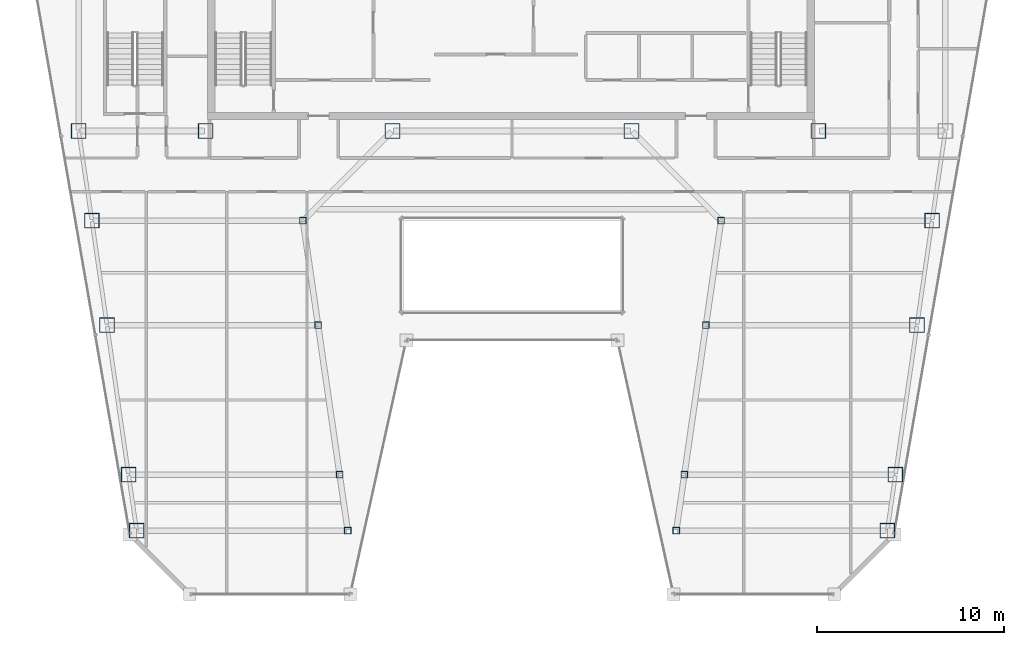
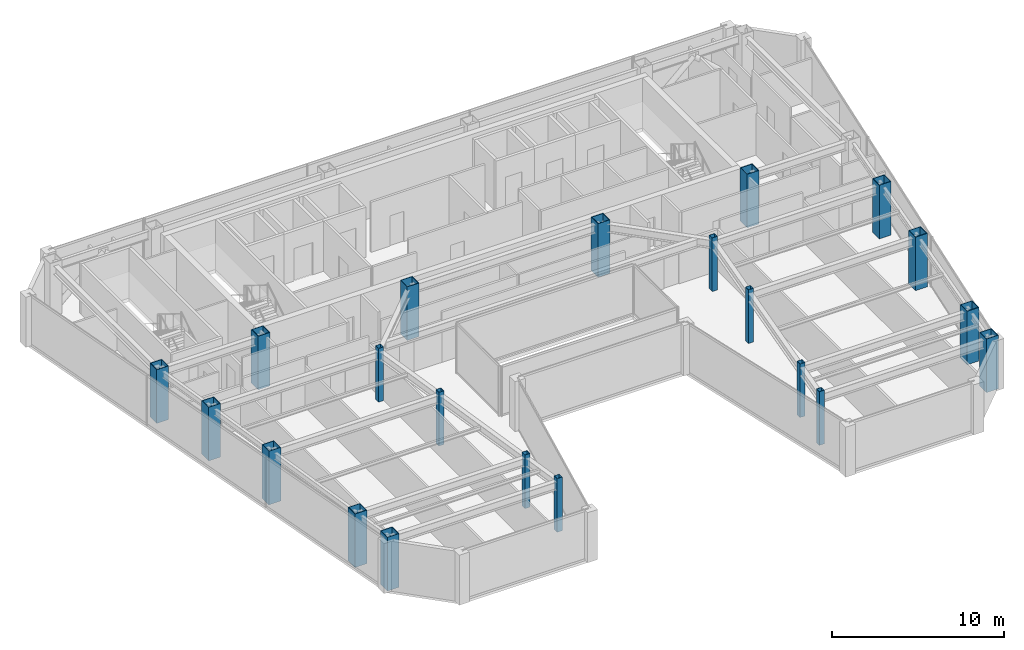
# One storey, part 1 of 33: 21 columns.
"""IFC4 building model written with IfcOpenShell, lengths in metres."""

import ifcopenshell
import ifcopenshell.guid

model = None  # the IFC model being written
_history = None  # IfcOwnerHistory: only IFC2X3 demands one
_inside = {}  # id of a spatial element -> (the spatial element, [elements in it])
_under = {}  # id of a project, library or spatial element -> (it, [spatial elements below it])
_declared = {}  # id of a project -> (the project, [libraries it declares])
_typed = {}  # id of a type object -> (the type object, [elements of that type])
_made_of = {}  # id of a material, layer set ... -> (it, [elements and type objects made of it])


def new_model(schema):
    """Start an empty IFC model of exactly this schema.

    Asked for "IFC4X3", IfcOpenShell would pick the latest addendum, in which some entities
    have other attributes; the version numbers below select the first issue.
    IFC2X3 requires an IfcOwnerHistory on every rooted entity: one is made here for all.
    """
    global model, _history
    if schema == "IFC4X3":
        model = ifcopenshell.file(schema_version=(4, 3, 0, 0))
    else:
        model = ifcopenshell.file(schema=schema)
    _inside.clear()
    _under.clear()
    _declared.clear()
    _typed.clear()
    _made_of.clear()
    _history = None
    if model.schema == "IFC2X3":
        org = make("IfcOrganization", Name="unknown")
        user = make(
            "IfcPersonAndOrganization",
            ThePerson=make("IfcPerson", FamilyName="unknown"),
            TheOrganization=org,
        )
        app = make(
            "IfcApplication",
            ApplicationDeveloper=org,
            Version="unknown",
            ApplicationFullName="unknown",
            ApplicationIdentifier="unknown",
        )
        _history = make(
            "IfcOwnerHistory",
            OwningUser=user,
            OwningApplication=app,
            ChangeAction="ADDED",
            CreationDate=0,
        )
    return model


def make(cls, **values):
    """One entity of the class cls with the attributes given. An attribute that is None is left unset."""
    return model.create_entity(
        cls, **{name: value for name, value in values.items() if value is not None}
    )


def rooted(cls, **values):
    """An entity with a GlobalId (a new one), such as an element, a storey or a relation."""
    return make(cls, GlobalId=ifcopenshell.guid.new(), OwnerHistory=_history, **values)


def si_unit(unit_type, name, prefix=None):
    """IfcSIUnit, for example si_unit("LENGTHUNIT", "METRE", prefix="MILLI")."""
    return make("IfcSIUnit", UnitType=unit_type, Prefix=prefix, Name=name)


def assignment(units):
    """IfcUnitAssignment: the units of a project."""
    return None if units is None else make("IfcUnitAssignment", Units=units)


def point(xyz):
    """IfcCartesianPoint."""
    return None if xyz is None else make("IfcCartesianPoint", Coordinates=xyz)


def direction(xyz):
    """IfcDirection."""
    return None if xyz is None else make("IfcDirection", DirectionRatios=xyz)


def frame(location, z_axis=None, x_axis=None):
    """IfcAxis2Placement3D, a coordinate frame: its origin and axes. An axis left out is left unset."""
    return make(
        "IfcAxis2Placement3D",
        Location=point(location),
        Axis=direction(z_axis),
        RefDirection=direction(x_axis),
    )


def frame_2d(location, x_axis=None):
    """IfcAxis2Placement2D, a coordinate frame in the plane: its origin and x axis."""
    return make(
        "IfcAxis2Placement2D", Location=point(location), RefDirection=direction(x_axis)
    )


def origin():
    """The frame at (0, 0, 0) with its axes left unset."""
    return frame((0.0, 0.0, 0.0))


def origin_2d():
    """The frame at (0, 0) in the plane with its x axis left unset."""
    return frame_2d((0.0, 0.0))


def place(relative_to, where):
    """IfcLocalPlacement: puts the frame where relative to a parent placement (None: the world)."""
    return make(
        "IfcLocalPlacement", PlacementRelTo=relative_to, RelativePlacement=where
    )


def context(
    kind, dimensions, precision=None, world=None, true_north=None, identifier=None
):
    """IfcGeometricRepresentationContext, for example the 3D "Model" context."""
    return make(
        "IfcGeometricRepresentationContext",
        ContextIdentifier=identifier,
        ContextType=kind,
        CoordinateSpaceDimension=dimensions,
        Precision=precision,
        WorldCoordinateSystem=world,
        TrueNorth=true_north,
    )


def subcontext(parent, identifier, kind, view, scale=None):
    """IfcGeometricRepresentationSubContext, for example "Body" below "Model"."""
    return make(
        "IfcGeometricRepresentationSubContext",
        ContextIdentifier=identifier,
        ContextType=kind,
        ParentContext=parent,
        TargetScale=scale,
        TargetView=view,
    )


def project(units=None, contexts=None):
    """IfcProject with its units and contexts."""
    return rooted(
        "IfcProject",
        Name="project",
        RepresentationContexts=contexts,
        UnitsInContext=assignment(units),
    )


def spatial(cls, under=None, at=None, **own):
    """A site, building, storey or space (cls), placed at a placement, below another one or the project."""
    s = rooted(cls, ObjectPlacement=at, **own)
    if under is not None:
        _under.setdefault(under.id(), (under, []))[1].append(s)
    return s


def profile(cls, at=None, kind="AREA", **sizes):
    """A parametric profile (cls). Its sizes go by their IFC names, for example OverallWidth=200.0."""
    return make(cls, ProfileType=kind, Position=at, **sizes)


def hollow_rectangle(**sizes):
    """IfcRectangleHollowProfileDef."""
    return profile("IfcRectangleHollowProfileDef", **sizes)


def extrude(swept, where, along, depth):
    """IfcExtrudedAreaSolid: the profile swept, set in the frame where, extruded along a direction by depth."""
    return make(
        "IfcExtrudedAreaSolid",
        SweptArea=swept,
        Position=where,
        ExtrudedDirection=direction(along),
        Depth=depth,
    )


def shape(context_of_items, identifier, shape_type, items):
    """IfcShapeRepresentation: the items that make up one representation, for example the "Body"."""
    return make(
        "IfcShapeRepresentation",
        ContextOfItems=context_of_items,
        RepresentationIdentifier=identifier,
        RepresentationType=shape_type,
        Items=items,
    )


def material(Name=None, Category=None):
    """IfcMaterial."""
    return make("IfcMaterial", Name=Name, Category=Category)


def material_profile(
    of_material, cross_section, Name=None, Category=None, Priority=None
):
    """IfcMaterialProfile: a cross section and its material."""
    return make(
        "IfcMaterialProfile",
        Name=Name,
        Material=of_material,
        Profile=cross_section,
        Priority=Priority,
        Category=Category,
    )


def profile_set(profiles, Name=None, composite=None):
    """IfcMaterialProfileSet."""
    return make(
        "IfcMaterialProfileSet",
        Name=Name,
        MaterialProfiles=profiles,
        CompositeProfile=composite,
    )


def made_of(thing, what):
    """Note that an element or type object is made of a material, layer set ...; save() writes the relation."""
    if what is not None:
        _made_of.setdefault(what.id(), (what, []))[1].append(thing)
    return thing


def type_object(cls, material=None, **own):
    """A type object (cls), such as IfcWallType, which elements share."""
    return made_of(rooted(cls, **own), material)


def element(
    cls,
    number,
    at=None,
    inside=None,
    cuts=None,
    type_object=None,
    material=None,
    context=None,
    identifier="Body",
    shape_type=None,
    held_by="IfcProductDefinitionShape",
    body=None,
    shapes=None,
    **own,
):
    """One element of the class cls, such as IfcWall. Its Tag is "e" and its number.

    at: its placement. inside: the storey or other place that contains it. cuts: it is an
    opening in that element (IfcRelVoidsElement). A single representation is given by context,
    identifier, shape_type and body (its items); several are given by shapes. held_by: the class
    of the entity that holds the representations. save() writes the other relations.
    """
    e = rooted(cls, Tag="e%d" % number, ObjectPlacement=at, **own)
    if body is not None:
        shapes = [shape(context, identifier, shape_type, body)]
    if shapes is not None:
        e.Representation = make(held_by, Representations=shapes)
    if inside is not None:
        _inside.setdefault(inside.id(), (inside, []))[1].append(e)
    if cuts is not None:
        rooted(
            "IfcRelVoidsElement", RelatingBuildingElement=cuts, RelatedOpeningElement=e
        )
    if type_object is not None:
        _typed.setdefault(type_object.id(), (type_object, []))[1].append(e)
    return made_of(e, material)


def aggregate(whole, parts):
    """IfcRelAggregates: a whole, such as a stair, and the parts it consists of."""
    return rooted("IfcRelAggregates", RelatingObject=whole, RelatedObjects=parts)


def save(model, path):
    """Write the relations noted so far, then the file.

    IfcRelAggregates (storeys below a building ...), IfcRelContainedInSpatialStructure (elements
    in a storey), IfcRelDefinesByType, IfcRelAssociatesMaterial and IfcRelDeclares: one each for
    every whole, place, type object, material and project.
    """
    for whole, parts in _under.values():
        aggregate(whole, parts)
    for where, things in _inside.values():
        rooted(
            "IfcRelContainedInSpatialStructure",
            RelatedElements=things,
            RelatingStructure=where,
        )
    for kind, things in _typed.values():
        rooted("IfcRelDefinesByType", RelatedObjects=things, RelatingType=kind)
    for what, things in _made_of.values():
        rooted("IfcRelAssociatesMaterial", RelatedObjects=things, RelatingMaterial=what)
    for by, libraries in _declared.values():
        rooted("IfcRelDeclares", RelatingContext=by, RelatedDefinitions=libraries)
    model.write(path)


model = new_model("IFC4")

# Units and contexts
model_context = context("Model", 3, precision=1e-05, world=origin(), true_north=direction((0.0, 1.0)))
body_context = subcontext(model_context, "Body", "Model", "MODEL_VIEW")
ifc_project = project(units=[si_unit("LENGTHUNIT", "METRE"), si_unit("AREAUNIT", "SQUARE_METRE"), si_unit("VOLUMEUNIT", "CUBIC_METRE"), si_unit("PLANEANGLEUNIT", "RADIAN"), si_unit("MASSUNIT", "GRAM", prefix="KILO")], contexts=[model_context])

# Site, building, storey
site_placement = place(None, origin())
site = spatial("IfcSite", under=ifc_project, at=site_placement, CompositionType="ELEMENT")
building_placement = place(site_placement, origin())
building = spatial("IfcBuilding", under=site, at=building_placement, Name="Saevonmaru Cultural Tower", CompositionType="ELEMENT")
storey_placement = place(building_placement, frame((0.0, 0.0, 238.199951171875)))
storey = spatial("IfcBuildingStorey", under=building, at=storey_placement, Name="L55", CompositionType="ELEMENT", Elevation=238.199951171875)

# Columns
ifc_material_1 = material(Name="Steel SM420", Category="steel")
ifc_material_profile_1 = material_profile(ifc_material_1, hollow_rectangle(XDim=0.800048828125, YDim=0.800048828125, WallThickness=0.035888671875, at=origin_2d()), Name="BOX-800x800x36")
ifc_profile_set_1 = profile_set([ifc_material_profile_1], Name="Steel SM420")
column_type_1 = type_object("IfcColumnType", Name="COL-BOX-800", PredefinedType="COLUMN", material=ifc_profile_set_1)
for number, where, z_axis, x_axis, name in (
    (1, (6.800048828125, 42.39990234375, 0.0), (0.0, 0.0, 1.0), (1.0, 0.0, 0.0), "L55 Column TC-S1C"),
    (2, (13.60009765625, 42.39990234375, 0.0), (0.0, 0.0, 1.0), (1.0, 0.0, 0.0), "L55 Column TC-S2C"),
    (3, (23.60009765625, 42.39990234375, 0.0), (0.0, 0.0, 1.0), (1.0, 0.0, 0.0), "L55 Column TC-S3C"),
    (4, (36.39990234375, 42.39990234375, 0.0), (0.0, 0.0, 1.0), (1.0, 0.0, 0.0), "L55 Column TC-S4C"),
    (5, (46.39990234375, 42.39990234375, 0.0), (0.0, 0.0, 1.0), (1.0, 0.0, 0.0), "L55 Column TC-S5C"),
    (6, (9.906005859375, 21.0, 0.0), (0.0, 0.0, 1.0), (1.0, 0.0, 0.0), "L55 Column TC-WO-Y210"),
    (7, (50.093994140625, 21.0, 0.0), (0.0, 0.0, 1.0), (1.0, 0.0, 0.0), "L55 Column TC-EO-Y210"),
    (8, (9.471923828125, 24.0, 0.0), (0.0, 0.0, 1.0), (1.0, 0.0, 0.0), "L55 Column TC-WO-Y240"),
    (9, (50.528076171875, 24.0, 0.0), (0.0, 0.0, 1.0), (1.0, 0.0, 0.0), "L55 Column TC-EO-Y240"),
    (10, (8.31689453125, 32.0, 0.0), (0.0, 0.0, 1.0), (1.0, 0.0, 0.0), "L55 Column TC-WO-Y320"),
    (11, (51.68310546875, 32.0, 0.0), (0.0, 0.0, 1.0), (1.0, 0.0, 0.0), "L55 Column TC-EO-Y320"),
    (12, (7.508056640625, 37.60009765625, 0.0), (0.0, 0.0, 1.0), (1.0, 0.0, 0.0), "L55 Column TC-WO-Y376"),
    (13, (52.491943359375, 37.60009765625, 0.0), (0.0, 0.0, 1.0), (1.0, 0.0, 0.0), "L55 Column TC-EO-Y376"),
):
    element("IfcColumn", number, at=place(storey_placement, frame(where, z_axis=z_axis, x_axis=x_axis)), inside=storey, type_object=column_type_1, Name=name, PredefinedType="COLUMN", context=body_context, shape_type="SweptSolid", body=[
        extrude(hollow_rectangle(XDim=0.800048828125, YDim=0.800048828125, WallThickness=0.035888671875, at=origin_2d()), origin(), (0.0, 0.0, 1.0), 3.800048828125),
    ])
ifc_material_2 = material(Name="Steel SM355", Category="steel")
ifc_material_profile_2 = material_profile(ifc_material_2, hollow_rectangle(XDim=0.35009765625, YDim=0.35009765625, WallThickness=0.01611328125, at=origin_2d()), Name="SHS-350x350x16")
ifc_profile_set_2 = profile_set([ifc_material_profile_2], Name="Steel SM355")
column_type_2 = type_object("IfcColumnType", Name="COL-SHS-350", PredefinedType="COLUMN", material=ifc_profile_set_2)
for number, where, z_axis, x_axis, name in (
    (14, (21.2060546875, 21.0, 0.0), (0.0, 0.0, 1.0), (1.0, 0.0, 0.0), "L55 Column TC-WI-Y210"),
    (15, (38.7939453125, 21.0, 0.0), (0.0, 0.0, 1.0), (1.0, 0.0, 0.0), "L55 Column TC-EI-Y210"),
    (16, (20.77197265625, 24.0, 0.0), (0.0, 0.0, 1.0), (1.0, 0.0, 0.0), "L55 Column TC-WI-Y240"),
    (17, (39.22802734375, 24.0, 0.0), (0.0, 0.0, 1.0), (1.0, 0.0, 0.0), "L55 Column TC-EI-Y240"),
    (18, (19.616943359375, 32.0, 0.0), (0.0, 0.0, 1.0), (1.0, 0.0, 0.0), "L55 Column TC-WI-Y320"),
    (19, (40.383056640625, 32.0, 0.0), (0.0, 0.0, 1.0), (1.0, 0.0, 0.0), "L55 Column TC-EI-Y320"),
    (20, (18.80810546875, 37.60009765625, 0.0), (0.0, 0.0, 1.0), (1.0, 0.0, 0.0), "L55 Column TC-WI-Y376"),
    (21, (41.19189453125, 37.60009765625, 0.0), (0.0, 0.0, 1.0), (1.0, 0.0, 0.0), "L55 Column TC-EI-Y376"),
):
    element("IfcColumn", number, at=place(storey_placement, frame(where, z_axis=z_axis, x_axis=x_axis)), inside=storey, type_object=column_type_2, Name=name, PredefinedType="COLUMN", context=body_context, shape_type="SweptSolid", body=[
        extrude(hollow_rectangle(XDim=0.35009765625, YDim=0.35009765625, WallThickness=0.01611328125, at=origin_2d()), origin(), (0.0, 0.0, 1.0), 3.800048828125),
    ])

save(model, "model.ifc")
